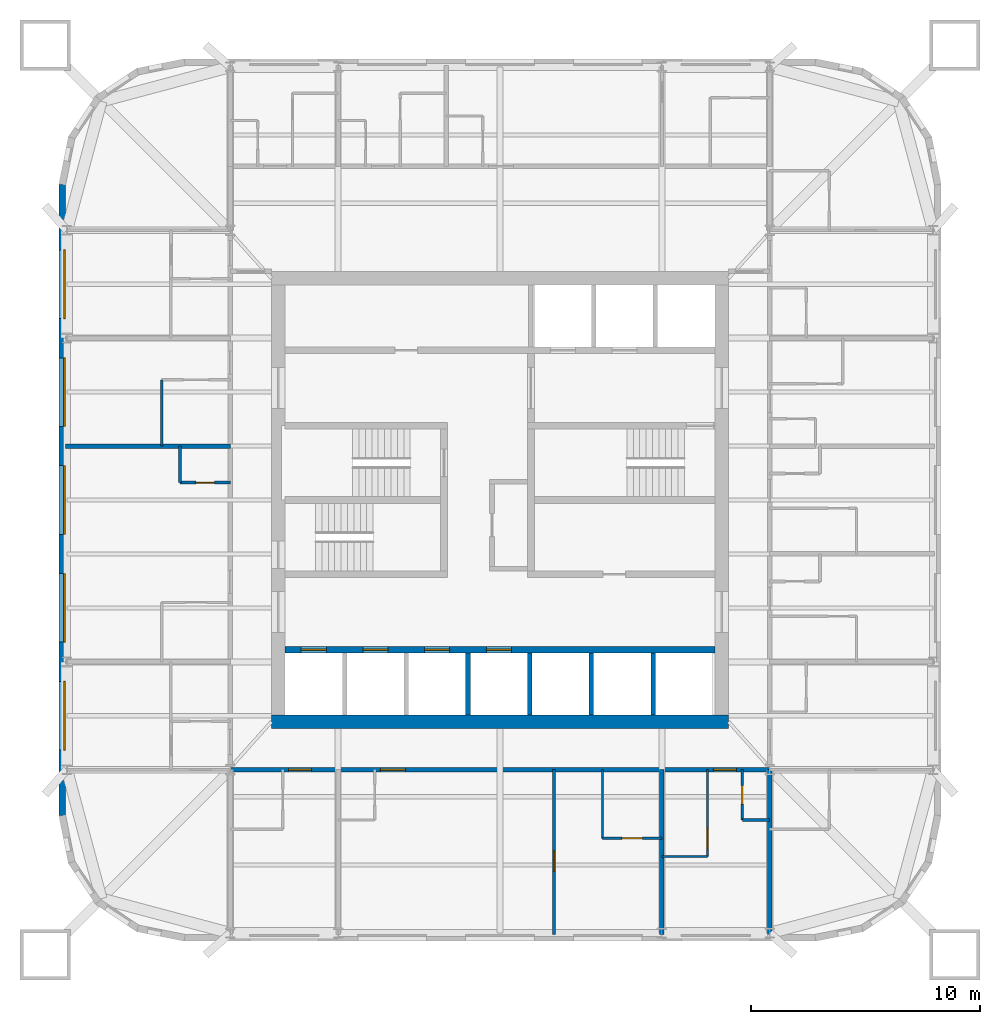
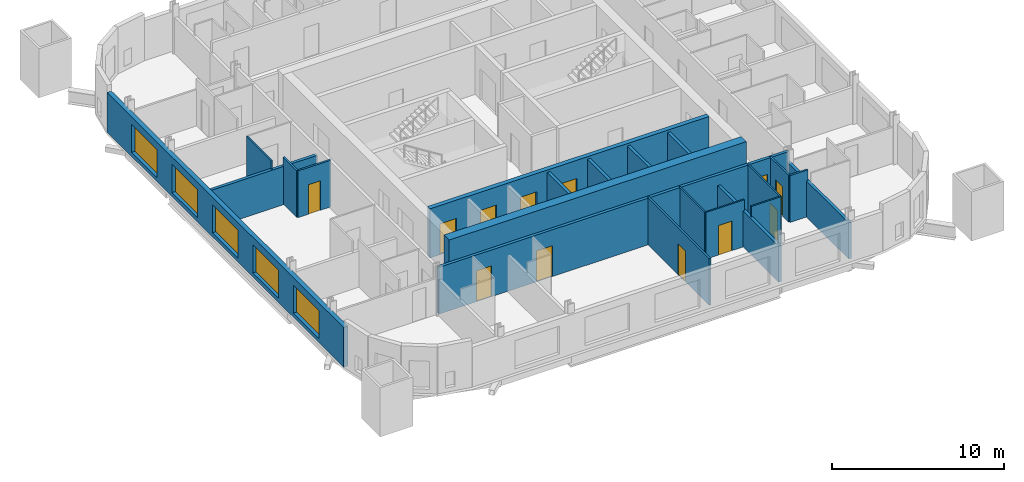
# One storey, part 3 of 9: 21 walls, 12 doors, 5 windows, 17 openings.
"""IFC4 building model written with IfcOpenShell, lengths in metres."""

from ifc_helpers import new_model, si_unit, direction, frame, frame_2d, origin, place, context, subcontext, project, spatial, rectangle, extrude, material, layer, layer_set, type_object, element, fill, save


model = new_model("IFC4")

# Units and contexts
model_context = context("Model", 3, precision=1e-05, world=origin(), true_north=direction((0.0, 1.0)))
body_context = subcontext(model_context, "Body", "Model", "MODEL_VIEW")
ifc_project = project(units=[si_unit("LENGTHUNIT", "METRE"), si_unit("AREAUNIT", "SQUARE_METRE"), si_unit("VOLUMEUNIT", "CUBIC_METRE"), si_unit("PLANEANGLEUNIT", "RADIAN"), si_unit("MASSUNIT", "GRAM", prefix="KILO")], contexts=[model_context])

# Site, building, storey
site_placement = place(None, origin())
site = spatial("IfcSite", under=ifc_project, at=site_placement, CompositionType="ELEMENT")
building_placement = place(site_placement, origin())
building = spatial("IfcBuilding", under=site, at=building_placement, Name="Turquesa Mirador Hotel Tower", CompositionType="ELEMENT")
storey_placement = place(building_placement, frame((0.0, 0.0, 210.800048828125)))
storey = spatial("IfcBuildingStorey", under=building, at=storey_placement, Name="L57", CompositionType="ELEMENT", Elevation=210.800048828125)

# Wall, opening, door
ifc_material_1 = material(Name="Gypsum board on steel studs", Category="steel")
ifc_layer_1 = layer(ifc_material_1, 0.10009765625)
ifc_layer_set_1 = layer_set([ifc_layer_1], Name="BATHROOM WALL 100")
wall_type_1 = type_object("IfcWallType", Name="BATHROOM WALL 100", PredefinedType="PARTITIONING", material=ifc_layer_set_1)
wall_1_placement = place(storey_placement, frame((59.47998046875, 30.199951171875, 0.0), z_axis=(0.0, 0.0, 1.0), x_axis=(1.0, 0.0, 0.0)))
wall_1 = element("IfcWall", 1, at=wall_1_placement, inside=storey, type_object=wall_type_1, Name="Partition L57 010", PredefinedType="PARTITIONING", context=body_context, shape_type="SweptSolid", body=[
    extrude(rectangle(XDim=2.60009765625, YDim=0.10009765625, at=frame_2d((1.300048828125, 0.0))), origin(), (0.0, 0.0, 1.0), 3.329833984375),
])
opening_1_placement = place(wall_1_placement, frame((0.85009765625, 0.0, 0.0)))
opening_1 = element("IfcOpeningElement", 2, at=opening_1_placement, cuts=wall_1, Name="Opening D02", PredefinedType="OPENING", context=body_context, shape_type="SweptSolid", body=[
    extrude(rectangle(XDim=0.89990234375, YDim=2.10009765625, at=frame_2d((0.449951171875, 1.050048828125))), frame((0.0, 0.06005859375, 0.0), z_axis=(0.0, -1.0, 0.0), x_axis=(1.0, 0.0, 0.0)), (0.0, 0.0, 1.0), 0.1201171875),
])
ifc_material_2 = material(Name="Timber veneered door", Category="wood")
door_type_1 = type_object("IfcDoorType", Name="DOOR 900X2100 EN-SUITE", OperationType="SINGLE_SWING_RIGHT", PredefinedType="DOOR", material=ifc_material_2)
door_1_placement = place(opening_1_placement, origin())
door_1 = element("IfcDoor", 3, at=door_1_placement, inside=storey, type_object=door_type_1, Name="Door 5705B", OperationType="SINGLE_SWING_RIGHT", OverallHeight=2.10009765625, OverallWidth=0.89990234375, PredefinedType="DOOR", context=body_context, shape_type="SweptSolid", body=[
    extrude(rectangle(XDim=0.89990234375, YDim=2.10009765625, at=frame_2d((0.449951171875, 1.050048828125))), frame((0.0, 0.02490234375, 0.0), z_axis=(0.0, -1.0, 0.0), x_axis=(1.0, 0.0, 0.0)), (0.0, 0.0, 1.0), 0.050048828125),
])
fill(opening_1, door_1)

# Walls
wall_2_placement = place(storey_placement, frame((62.080078125, 29.39990234375, 0.0), z_axis=(0.0, 0.0, 1.0), x_axis=(1.0, 0.0, 0.0)))
element("IfcWall", 4, at=wall_2_placement, inside=storey, type_object=wall_type_1, Name="Partition L57 011", PredefinedType="PARTITIONING", context=body_context, shape_type="SweptSolid", body=[
    extrude(rectangle(XDim=2.0, YDim=0.10009765625, at=frame_2d((1.0, 0.0))), origin(), (0.0, 0.0, 1.0), 3.329833984375),
])
wall_3_placement = place(storey_placement, frame((40.199951171875, 47.360107421875, 0.0), z_axis=(0.0, 0.0, 1.0), x_axis=(0.0, 1.0, 0.0)))
element("IfcWall", 5, at=wall_3_placement, inside=storey, type_object=wall_type_1, Name="Partition L57 056", PredefinedType="PARTITIONING", context=body_context, shape_type="SweptSolid", body=[
    extrude(rectangle(XDim=2.89990234375, YDim=0.10009765625, at=frame_2d((1.449951171875, 0.0))), origin(), (0.0, 0.0, 1.0), 3.329833984375),
])
wall_4_placement = place(storey_placement, frame((59.47998046875, 30.199951171875, 0.0), z_axis=(0.0, 0.0, 1.0), x_axis=(0.0, 1.0, 0.0)))
element("IfcWall", 6, at=wall_4_placement, inside=storey, type_object=wall_type_1, Name="Partition L57 080", PredefinedType="PARTITIONING", context=body_context, shape_type="SweptSolid", body=[
    extrude(rectangle(XDim=3.0, YDim=0.10009765625, at=frame_2d((1.5, 0.0))), origin(), (0.0, 0.0, 1.0), 3.329833984375),
])

# Wall, opening, door
wall_5_placement = place(storey_placement, frame((64.080078125, 29.39990234375, 0.0), z_axis=(0.0, 0.0, 1.0), x_axis=(0.0, 1.0, 0.0)))
wall_5 = element("IfcWall", 7, at=wall_5_placement, inside=storey, type_object=wall_type_1, Name="Partition L57 083", PredefinedType="PARTITIONING", context=body_context, shape_type="SweptSolid", body=[
    extrude(rectangle(XDim=3.800048828125, YDim=0.10009765625, at=frame_2d((1.89990234375, 0.0))), origin(), (0.0, 0.0, 1.0), 3.329833984375),
])
opening_2_placement = place(wall_5_placement, frame((0.35009765625, 0.0, 0.0)))
opening_2 = element("IfcOpeningElement", 8, at=opening_2_placement, cuts=wall_5, Name="Opening D02", PredefinedType="OPENING", context=body_context, shape_type="SweptSolid", body=[
    extrude(rectangle(XDim=0.89990234375, YDim=2.10009765625, at=frame_2d((0.449951171875, 1.050048828125))), frame((0.0, 0.06005859375, 0.0), z_axis=(0.0, -1.0, 0.0), x_axis=(1.0, 0.0, 0.0)), (0.0, 0.0, 1.0), 0.1201171875),
])
door_2_placement = place(opening_2_placement, origin())
door_2 = element("IfcDoor", 9, at=door_2_placement, inside=storey, type_object=door_type_1, Name="Door 5706B", OperationType="SINGLE_SWING_RIGHT", OverallHeight=2.10009765625, OverallWidth=0.89990234375, PredefinedType="DOOR", context=body_context, shape_type="SweptSolid", body=[
    extrude(rectangle(XDim=0.89990234375, YDim=2.10009765625, at=frame_2d((0.449951171875, 1.050048828125))), frame((0.0, 0.02490234375, 0.0), z_axis=(0.0, -1.0, 0.0), x_axis=(1.0, 0.0, 0.0)), (0.0, 0.0, 1.0), 0.050048828125),
])
fill(opening_2, door_2)

# Wall, openings, doors
ifc_material_3 = material(Name="Concrete C50/60", Category="concrete")
ifc_layer_2 = layer(ifc_material_3, 0.300048828125)
ifc_layer_set_2 = layer_set([ifc_layer_2], Name="CORE INNER WALL 300")
wall_type_2 = type_object("IfcWallType", Name="CORE INNER WALL 300", PredefinedType="SHEAR", material=ifc_layer_set_2)
wall_6_placement = place(storey_placement, frame((45.60009765625, 38.449951171875, 0.0), z_axis=(0.0, 0.0, 1.0), x_axis=(1.0, 0.0, 0.0)))
wall_6 = element("IfcWall", 10, at=wall_6_placement, inside=storey, type_object=wall_type_2, Name="Core wall SL", PredefinedType="SHEAR", context=body_context, shape_type="SweptSolid", body=[
    extrude(rectangle(XDim=18.7998046875, YDim=0.300048828125, at=frame_2d((9.39990234375, 0.0))), origin(), (0.0, 0.0, 1.0), 3.5),
])
opening_3_placement = place(wall_6_placement, frame((0.699951171875, 0.0, 0.0)))
opening_3 = element("IfcOpeningElement", 11, at=opening_3_placement, cuts=wall_6, Name="Opening LD", PredefinedType="OPENING", context=body_context, shape_type="SweptSolid", body=[
    extrude(rectangle(XDim=1.10009765625, YDim=2.199951171875, at=frame_2d((0.550048828125, 1.10009765625))), frame((0.0, 0.159912109375, 0.0), z_axis=(0.0, -1.0, 0.0), x_axis=(1.0, 0.0, 0.0)), (0.0, 0.0, 1.0), 0.320068359375),
])
opening_4_placement = place(wall_6_placement, frame((3.39990234375, 0.0, 0.0)))
opening_4 = element("IfcOpeningElement", 12, at=opening_4_placement, cuts=wall_6, Name="Opening LD", PredefinedType="OPENING", context=body_context, shape_type="SweptSolid", body=[
    extrude(rectangle(XDim=1.10009765625, YDim=2.199951171875, at=frame_2d((0.550048828125, 1.10009765625))), frame((0.0, 0.159912109375, 0.0), z_axis=(0.0, -1.0, 0.0), x_axis=(1.0, 0.0, 0.0)), (0.0, 0.0, 1.0), 0.320068359375),
])
opening_5_placement = place(wall_6_placement, frame((6.10009765625, 0.0, 0.0)))
opening_5 = element("IfcOpeningElement", 13, at=opening_5_placement, cuts=wall_6, Name="Opening LD", PredefinedType="OPENING", context=body_context, shape_type="SweptSolid", body=[
    extrude(rectangle(XDim=1.10009765625, YDim=2.199951171875, at=frame_2d((0.550048828125, 1.10009765625))), frame((0.0, 0.159912109375, 0.0), z_axis=(0.0, -1.0, 0.0), x_axis=(1.0, 0.0, 0.0)), (0.0, 0.0, 1.0), 0.320068359375),
])
opening_6_placement = place(wall_6_placement, frame((8.800048828125, 0.0, 0.0)))
opening_6 = element("IfcOpeningElement", 14, at=opening_6_placement, cuts=wall_6, Name="Opening LD", PredefinedType="OPENING", context=body_context, shape_type="SweptSolid", body=[
    extrude(rectangle(XDim=1.10009765625, YDim=2.199951171875, at=frame_2d((0.550048828125, 1.10009765625))), frame((0.0, 0.159912109375, 0.0), z_axis=(0.0, -1.0, 0.0), x_axis=(1.0, 0.0, 0.0)), (0.0, 0.0, 1.0), 0.320068359375),
])
ifc_material_4 = material(Name="Stainless steel lift landing door", Category="steel")
door_type_2 = type_object("IfcDoorType", Name="LIFT LANDING DOOR 1100X2200", OperationType="SLIDING_TO_LEFT", PredefinedType="DOOR", material=ifc_material_4)
door_3_placement = place(opening_3_placement, origin())
door_3 = element("IfcDoor", 15, at=door_3_placement, inside=storey, type_object=door_type_2, Name="Lift B1 landing door", OperationType="SLIDING_TO_LEFT", OverallHeight=2.199951171875, OverallWidth=1.10009765625, PredefinedType="DOOR", context=body_context, shape_type="SweptSolid", body=[
    extrude(rectangle(XDim=1.10009765625, YDim=2.199951171875, at=frame_2d((0.550048828125, 1.10009765625))), frame((0.0, 0.02490234375, 0.0), z_axis=(0.0, -1.0, 0.0), x_axis=(1.0, 0.0, 0.0)), (0.0, 0.0, 1.0), 0.050048828125),
])
fill(opening_3, door_3)
door_4_placement = place(opening_4_placement, origin())
door_4 = element("IfcDoor", 16, at=door_4_placement, inside=storey, type_object=door_type_2, Name="Lift B2 landing door", OperationType="SLIDING_TO_LEFT", OverallHeight=2.199951171875, OverallWidth=1.10009765625, PredefinedType="DOOR", context=body_context, shape_type="SweptSolid", body=[
    extrude(rectangle(XDim=1.10009765625, YDim=2.199951171875, at=frame_2d((0.550048828125, 1.10009765625))), frame((0.0, 0.02490234375, 0.0), z_axis=(0.0, -1.0, 0.0), x_axis=(1.0, 0.0, 0.0)), (0.0, 0.0, 1.0), 0.050048828125),
])
fill(opening_4, door_4)
door_5_placement = place(opening_5_placement, origin())
door_5 = element("IfcDoor", 17, at=door_5_placement, inside=storey, type_object=door_type_2, Name="Lift B3 landing door", OperationType="SLIDING_TO_LEFT", OverallHeight=2.199951171875, OverallWidth=1.10009765625, PredefinedType="DOOR", context=body_context, shape_type="SweptSolid", body=[
    extrude(rectangle(XDim=1.10009765625, YDim=2.199951171875, at=frame_2d((0.550048828125, 1.10009765625))), frame((0.0, 0.02490234375, 0.0), z_axis=(0.0, -1.0, 0.0), x_axis=(1.0, 0.0, 0.0)), (0.0, 0.0, 1.0), 0.050048828125),
])
fill(opening_5, door_5)
door_6_placement = place(opening_6_placement, origin())
door_6 = element("IfcDoor", 18, at=door_6_placement, inside=storey, type_object=door_type_2, Name="Lift B4 landing door", OperationType="SLIDING_TO_LEFT", OverallHeight=2.199951171875, OverallWidth=1.10009765625, PredefinedType="DOOR", context=body_context, shape_type="SweptSolid", body=[
    extrude(rectangle(XDim=1.10009765625, YDim=2.199951171875, at=frame_2d((0.550048828125, 1.10009765625))), frame((0.0, 0.02490234375, 0.0), z_axis=(0.0, -1.0, 0.0), x_axis=(1.0, 0.0, 0.0)), (0.0, 0.0, 1.0), 0.050048828125),
])
fill(opening_6, door_6)

# Wall
ifc_material_5 = material(Name="Concrete C50/60", Category="concrete")
ifc_layer_3 = layer(ifc_material_5, 0.60009765625)
ifc_layer_set_3 = layer_set([ifc_layer_3], Name="CORE WALL 600")
wall_type_3 = type_object("IfcWallType", Name="CORE WALL 600", PredefinedType="SHEAR", material=ifc_layer_set_3)
wall_7_placement = place(storey_placement, frame((45.0, 35.300048828125, 0.0), z_axis=(0.0, 0.0, 1.0), x_axis=(1.0, 0.0, 0.0)))
element("IfcWall", 19, at=wall_7_placement, inside=storey, type_object=wall_type_3, Name="Core wall S", PredefinedType="SHEAR", context=body_context, shape_type="SweptSolid", body=[
    extrude(rectangle(XDim=20.0, YDim=0.60009765625, at=frame_2d((10.0, 0.0))), origin(), (0.0, 0.0, 1.0), 3.5),
])

# Wall, openings, doors
ifc_material_6 = material(Name="Fire-rated gypsum board on steel studs", Category="steel")
ifc_layer_4 = layer(ifc_material_6, 0.199951171875)
ifc_layer_set_4 = layer_set([ifc_layer_4], Name="CORRIDOR WALL 200")
wall_type_4 = type_object("IfcWallType", Name="CORRIDOR WALL 200", PredefinedType="PARTITIONING", material=ifc_layer_set_4)
wall_8_placement = place(storey_placement, frame((43.199951171875, 33.199951171875, 0.0), z_axis=(0.0, 0.0, 1.0), x_axis=(1.0, 0.0, 0.0)))
wall_8 = element("IfcWall", 20, at=wall_8_placement, inside=storey, type_object=wall_type_4, Name="Partition L57 003", PredefinedType="PARTITIONING", context=body_context, shape_type="SweptSolid", body=[
    extrude(rectangle(XDim=23.60009765625, YDim=0.199951171875, at=frame_2d((11.800048828125, 0.0))), origin(), (0.0, 0.0, 1.0), 3.329833984375),
])
opening_7_placement = place(wall_8_placement, frame((2.550048828125, 0.0, 0.0)))
opening_7 = element("IfcOpeningElement", 21, at=opening_7_placement, cuts=wall_8, Name="Opening D01", PredefinedType="OPENING", context=body_context, shape_type="SweptSolid", body=[
    extrude(rectangle(XDim=1.0, YDim=2.199951171875, at=frame_2d((0.5, 1.10009765625))), frame((0.0, 0.10986328125, 0.0), z_axis=(0.0, -1.0, 0.0), x_axis=(1.0, 0.0, 0.0)), (0.0, 0.0, 1.0), 0.219970703125),
])
opening_8_placement = place(wall_8_placement, frame((6.570068359375, 0.0, 0.0)))
opening_8 = element("IfcOpeningElement", 22, at=opening_8_placement, cuts=wall_8, Name="Opening D15", PredefinedType="OPENING", context=body_context, shape_type="SweptSolid", body=[
    extrude(rectangle(XDim=1.10009765625, YDim=2.199951171875, at=frame_2d((0.550048828125, 1.10009765625))), frame((0.0, 0.10986328125, 0.0), z_axis=(0.0, -1.0, 0.0), x_axis=(1.0, 0.0, 0.0)), (0.0, 0.0, 1.0), 0.219970703125),
])
opening_9_placement = place(wall_8_placement, frame((21.139892578125, 0.0, 0.0)))
opening_9 = element("IfcOpeningElement", 23, at=opening_9_placement, cuts=wall_8, Name="Opening D01", PredefinedType="OPENING", context=body_context, shape_type="SweptSolid", body=[
    extrude(rectangle(XDim=1.0, YDim=2.199951171875, at=frame_2d((0.5, 1.10009765625))), frame((0.0, 0.10986328125, 0.0), z_axis=(0.0, -1.0, 0.0), x_axis=(1.0, 0.0, 0.0)), (0.0, 0.0, 1.0), 0.219970703125),
])
ifc_material_7 = material(Name="Timber veneered fire door", Category="wood")
door_type_3 = type_object("IfcDoorType", Name="DOOR 1000X2200 GUEST ENTRY", OperationType="SINGLE_SWING_LEFT", PredefinedType="DOOR", material=ifc_material_7)
door_7_placement = place(opening_7_placement, origin())
door_7 = element("IfcDoor", 24, at=door_7_placement, inside=storey, type_object=door_type_3, Name="Door 5704", OperationType="SINGLE_SWING_LEFT", OverallHeight=2.199951171875, OverallWidth=1.0, PredefinedType="DOOR", context=body_context, shape_type="SweptSolid", body=[
    extrude(rectangle(XDim=1.0, YDim=2.199951171875, at=frame_2d((0.5, 1.10009765625))), frame((0.0, 0.02490234375, 0.0), z_axis=(0.0, -1.0, 0.0), x_axis=(1.0, 0.0, 0.0)), (0.0, 0.0, 1.0), 0.050048828125),
])
fill(opening_7, door_7)
door_8_placement = place(opening_9_placement, origin())
door_8 = element("IfcDoor", 25, at=door_8_placement, inside=storey, type_object=door_type_3, Name="Door 5706", OperationType="SINGLE_SWING_LEFT", OverallHeight=2.199951171875, OverallWidth=1.0, PredefinedType="DOOR", context=body_context, shape_type="SweptSolid", body=[
    extrude(rectangle(XDim=1.0, YDim=2.199951171875, at=frame_2d((0.5, 1.10009765625))), frame((0.0, 0.02490234375, 0.0), z_axis=(0.0, -1.0, 0.0), x_axis=(1.0, 0.0, 0.0)), (0.0, 0.0, 1.0), 0.050048828125),
])
fill(opening_9, door_8)
ifc_material_8 = material(Name="Timber veneered fire door", Category="wood")
door_type_4 = type_object("IfcDoorType", Name="DOOR 1100X2200 SUITE ENTRY", OperationType="SINGLE_SWING_LEFT", PredefinedType="DOOR", material=ifc_material_8)
door_9_placement = place(opening_8_placement, origin())
door_9 = element("IfcDoor", 26, at=door_9_placement, inside=storey, type_object=door_type_4, Name="Door 5705", OperationType="SINGLE_SWING_LEFT", OverallHeight=2.199951171875, OverallWidth=1.10009765625, PredefinedType="DOOR", context=body_context, shape_type="SweptSolid", body=[
    extrude(rectangle(XDim=1.10009765625, YDim=2.199951171875, at=frame_2d((0.550048828125, 1.10009765625))), frame((0.0, 0.02490234375, 0.0), z_axis=(0.0, -1.0, 0.0), x_axis=(1.0, 0.0, 0.0)), (0.0, 0.0, 1.0), 0.050048828125),
])
fill(opening_8, door_9)

# Wall, openings, windows
ifc_material_9 = material(Name="Limestone cladding on concrete block", Category="masonry")
ifc_layer_5 = layer(ifc_material_9, 0.300048828125)
ifc_layer_set_5 = layer_set([ifc_layer_5], Name="FACADE WALL 300 STONE SCREEN")
wall_type_5 = type_object("IfcWallType", Name="FACADE WALL 300 STONE SCREEN", PredefinedType="SOLIDWALL", material=ifc_layer_set_5)
wall_9_placement = place(storey_placement, frame((35.85009765625, 58.800048828125, 0.0), z_axis=(0.0, 0.0, 1.0), x_axis=(0.0, -1.0, 0.0)))
wall_9 = element("IfcWall", 27, at=wall_9_placement, inside=storey, type_object=wall_type_5, Name="Facade wall L57 14", PredefinedType="SOLIDWALL", context=body_context, shape_type="SweptSolid", body=[
    extrude(rectangle(XDim=27.60009765625, YDim=0.300048828125, at=frame_2d((13.800048828125, 0.0))), origin(), (0.0, 0.0, 1.0), 2.829833984375),
])
opening_10_placement = place(wall_9_placement, frame((2.860107421875, 0.0, 0.300048828125)))
opening_10 = element("IfcOpeningElement", 28, at=opening_10_placement, cuts=wall_9, Name="Opening WN1", PredefinedType="OPENING", context=body_context, shape_type="SweptSolid", body=[
    extrude(rectangle(XDim=3.0, YDim=2.0, at=frame_2d((1.5, 1.0))), frame((0.0, 0.159912109375, 0.0), z_axis=(0.0, -1.0, 0.0), x_axis=(1.0, 0.0, 0.0)), (0.0, 0.0, 1.0), 0.320068359375),
])
opening_11_placement = place(wall_9_placement, frame((7.580078125, 0.0, 0.300048828125)))
opening_11 = element("IfcOpeningElement", 29, at=opening_11_placement, cuts=wall_9, Name="Opening WN1", PredefinedType="OPENING", context=body_context, shape_type="SweptSolid", body=[
    extrude(rectangle(XDim=3.0, YDim=2.0, at=frame_2d((1.5, 1.0))), frame((0.0, 0.159912109375, 0.0), z_axis=(0.0, -1.0, 0.0), x_axis=(1.0, 0.0, 0.0)), (0.0, 0.0, 1.0), 0.320068359375),
])
opening_12_placement = place(wall_9_placement, frame((12.300048828125, 0.0, 0.300048828125)))
opening_12 = element("IfcOpeningElement", 30, at=opening_12_placement, cuts=wall_9, Name="Opening WN1", PredefinedType="OPENING", context=body_context, shape_type="SweptSolid", body=[
    extrude(rectangle(XDim=3.0, YDim=2.0, at=frame_2d((1.5, 1.0))), frame((0.0, 0.159912109375, 0.0), z_axis=(0.0, -1.0, 0.0), x_axis=(1.0, 0.0, 0.0)), (0.0, 0.0, 1.0), 0.320068359375),
])
opening_13_placement = place(wall_9_placement, frame((17.02001953125, 0.0, 0.300048828125)))
opening_13 = element("IfcOpeningElement", 31, at=opening_13_placement, cuts=wall_9, Name="Opening WN1", PredefinedType="OPENING", context=body_context, shape_type="SweptSolid", body=[
    extrude(rectangle(XDim=3.0, YDim=2.0, at=frame_2d((1.5, 1.0))), frame((0.0, 0.159912109375, 0.0), z_axis=(0.0, -1.0, 0.0), x_axis=(1.0, 0.0, 0.0)), (0.0, 0.0, 1.0), 0.320068359375),
])
opening_14_placement = place(wall_9_placement, frame((21.739990234375, 0.0, 0.300048828125)))
opening_14 = element("IfcOpeningElement", 32, at=opening_14_placement, cuts=wall_9, Name="Opening WN1", PredefinedType="OPENING", context=body_context, shape_type="SweptSolid", body=[
    extrude(rectangle(XDim=3.0, YDim=2.0, at=frame_2d((1.5, 1.0))), frame((0.0, 0.159912109375, 0.0), z_axis=(0.0, -1.0, 0.0), x_axis=(1.0, 0.0, 0.0)), (0.0, 0.0, 1.0), 0.320068359375),
])
ifc_material_10 = material(Name="Ceramic-fritted laminated glass", Category="glass")
window_type = type_object("IfcWindowType", Name="FRITTED WINDOW 3000X2000", PartitioningType="DOUBLE_PANEL_HORIZONTAL", PredefinedType="WINDOW", material=ifc_material_10)
window_1_placement = place(opening_10_placement, origin())
window_1 = element("IfcWindow", 33, at=window_1_placement, inside=storey, type_object=window_type, Name="Window L57", OverallHeight=2.0, OverallWidth=3.0, PartitioningType="SINGLE_PANEL", PredefinedType="WINDOW", context=body_context, shape_type="SweptSolid", body=[
    extrude(rectangle(XDim=3.0, YDim=2.0, at=frame_2d((1.5, 1.0))), frame((0.0, 0.130126953125, 0.0), z_axis=(0.0, -1.0, 0.0), x_axis=(1.0, 0.0, 0.0)), (0.0, 0.0, 1.0), 0.06005859375),
])
fill(opening_10, window_1)
window_2_placement = place(opening_11_placement, origin())
window_2 = element("IfcWindow", 34, at=window_2_placement, inside=storey, type_object=window_type, Name="Window L57", OverallHeight=2.0, OverallWidth=3.0, PartitioningType="SINGLE_PANEL", PredefinedType="WINDOW", context=body_context, shape_type="SweptSolid", body=[
    extrude(rectangle(XDim=3.0, YDim=2.0, at=frame_2d((1.5, 1.0))), frame((0.0, 0.130126953125, 0.0), z_axis=(0.0, -1.0, 0.0), x_axis=(1.0, 0.0, 0.0)), (0.0, 0.0, 1.0), 0.06005859375),
])
fill(opening_11, window_2)
window_3_placement = place(opening_12_placement, origin())
window_3 = element("IfcWindow", 35, at=window_3_placement, inside=storey, type_object=window_type, Name="Window L57", OverallHeight=2.0, OverallWidth=3.0, PartitioningType="SINGLE_PANEL", PredefinedType="WINDOW", context=body_context, shape_type="SweptSolid", body=[
    extrude(rectangle(XDim=3.0, YDim=2.0, at=frame_2d((1.5, 1.0))), frame((0.0, 0.130126953125, 0.0), z_axis=(0.0, -1.0, 0.0), x_axis=(1.0, 0.0, 0.0)), (0.0, 0.0, 1.0), 0.06005859375),
])
fill(opening_12, window_3)
window_4_placement = place(opening_13_placement, origin())
window_4 = element("IfcWindow", 36, at=window_4_placement, inside=storey, type_object=window_type, Name="Window L57", OverallHeight=2.0, OverallWidth=3.0, PartitioningType="SINGLE_PANEL", PredefinedType="WINDOW", context=body_context, shape_type="SweptSolid", body=[
    extrude(rectangle(XDim=3.0, YDim=2.0, at=frame_2d((1.5, 1.0))), frame((0.0, 0.130126953125, 0.0), z_axis=(0.0, -1.0, 0.0), x_axis=(1.0, 0.0, 0.0)), (0.0, 0.0, 1.0), 0.06005859375),
])
fill(opening_13, window_4)
window_5_placement = place(opening_14_placement, origin())
window_5 = element("IfcWindow", 37, at=window_5_placement, inside=storey, type_object=window_type, Name="Window L57", OverallHeight=2.0, OverallWidth=3.0, PartitioningType="SINGLE_PANEL", PredefinedType="WINDOW", context=body_context, shape_type="SweptSolid", body=[
    extrude(rectangle(XDim=3.0, YDim=2.0, at=frame_2d((1.5, 1.0))), frame((0.0, 0.130126953125, 0.0), z_axis=(0.0, -1.0, 0.0), x_axis=(1.0, 0.0, 0.0)), (0.0, 0.0, 1.0), 0.06005859375),
])
fill(opening_14, window_5)

# Walls
ifc_material_11 = material(Name="Fire-rated gypsum shaft wall on steel studs", Category="steel")
ifc_layer_6 = layer(ifc_material_11, 0.199951171875)
ifc_layer_set_6 = layer_set([ifc_layer_6], Name="LIFT SHAFT DIVIDER 200")
wall_type_6 = type_object("IfcWallType", Name="LIFT SHAFT DIVIDER 200", PredefinedType="PARTITIONING", material=ifc_layer_set_6)
for number, where, z_axis, x_axis, name in (
    (38, (53.60009765625, 35.60009765625, 0.0), (0.0, 0.0, 1.0), (0.0, 1.0, 0.0), "Lift shaft divider"),
    (39, (56.300048828125, 35.60009765625, 0.0), (0.0, 0.0, 1.0), (0.0, 1.0, 0.0), "Lift shaft divider"),
    (40, (59.0, 35.60009765625, 0.0), (0.0, 0.0, 1.0), (0.0, 1.0, 0.0), "Lift shaft divider"),
    (41, (61.699951171875, 35.60009765625, 0.0), (0.0, 0.0, 1.0), (0.0, 1.0, 0.0), "Lift shaft divider"),
):
    element("IfcWall", number, at=place(storey_placement, frame(where, z_axis=z_axis, x_axis=x_axis)), inside=storey, type_object=wall_type_6, Name=name, PredefinedType="PARTITIONING", context=body_context, shape_type="SweptSolid", body=[
        extrude(rectangle(XDim=2.699951171875, YDim=0.199951171875, at=frame_2d((1.35009765625, 0.0))), origin(), (0.0, 0.0, 1.0), 3.329833984375),
    ])
ifc_material_12 = material(Name="Fire-rated gypsum board on steel studs", Category="steel")
ifc_layer_7 = layer(ifc_material_12, 0.199951171875)
ifc_layer_set_7 = layer_set([ifc_layer_7], Name="PARTY WALL 200")
wall_type_7 = type_object("IfcWallType", Name="PARTY WALL 200", PredefinedType="PARTITIONING", material=ifc_layer_set_7)
wall_10_placement = place(storey_placement, frame((36.0, 47.360107421875, 0.0), z_axis=(0.0, 0.0, 1.0), x_axis=(1.0, 0.0, 0.0)))
element("IfcWall", 42, at=wall_10_placement, inside=storey, type_object=wall_type_7, Name="Partition L57 035", PredefinedType="PARTITIONING", context=body_context, shape_type="SweptSolid", body=[
    extrude(rectangle(XDim=7.199951171875, YDim=0.199951171875, at=frame_2d((3.60009765625, 0.0))), origin(), (0.0, 0.0, 1.0), 2.73046875),
])
for number, where, z_axis, x_axis, name in (
    (43, (66.800048828125, 26.0, 0.0), (0.0, 0.0, 1.0), (0.0, 1.0, 0.0), "Partition L57 067"),
    (44, (62.080078125, 26.0, 0.0), (0.0, 0.0, 1.0), (0.0, 1.0, 0.0), "Partition L57 081"),
):
    element("IfcWall", number, at=place(storey_placement, frame(where, z_axis=z_axis, x_axis=x_axis)), inside=storey, type_object=wall_type_7, Name=name, PredefinedType="PARTITIONING", context=body_context, shape_type="SweptSolid", body=[
        extrude(rectangle(XDim=7.199951171875, YDim=0.199951171875, at=frame_2d((3.60009765625, 0.0))), origin(), (0.0, 0.0, 1.0), 2.572998046875),
    ])
ifc_material_13 = material(Name="Acoustic gypsum board on steel studs", Category="steel")
ifc_layer_8 = layer(ifc_material_13, 0.125)
ifc_layer_set_8 = layer_set([ifc_layer_8], Name="SUITE PARTITION 125")
wall_type_8 = type_object("IfcWallType", Name="SUITE PARTITION 125", PredefinedType="PARTITIONING", material=ifc_layer_set_8)
wall_11_placement = place(storey_placement, frame((65.60009765625, 31.0, 0.0), z_axis=(0.0, 0.0, 1.0), x_axis=(1.0, 0.0, 0.0)))
element("IfcWall", 45, at=wall_11_placement, inside=storey, type_object=wall_type_8, Name="Partition L57 007", PredefinedType="PARTITIONING", context=body_context, shape_type="SweptSolid", body=[
    extrude(rectangle(XDim=1.199951171875, YDim=0.125, at=frame_2d((0.60009765625, 0.0))), origin(), (0.0, 0.0, 1.0), 3.329833984375),
])

# Wall, opening, door
wall_12_placement = place(storey_placement, frame((41.0, 45.760009765625, 0.0), z_axis=(0.0, 0.0, 1.0), x_axis=(1.0, 0.0, 0.0)))
wall_12 = element("IfcWall", 46, at=wall_12_placement, inside=storey, type_object=wall_type_8, Name="Partition L57 020", PredefinedType="PARTITIONING", context=body_context, shape_type="SweptSolid", body=[
    extrude(rectangle(XDim=2.199951171875, YDim=0.125, at=frame_2d((1.10009765625, 0.0))), origin(), (0.0, 0.0, 1.0), 3.329833984375),
])
opening_15_placement = place(wall_12_placement, frame((0.699951171875, 0.0, 0.0)))
opening_15 = element("IfcOpeningElement", 47, at=opening_15_placement, cuts=wall_12, Name="Opening D20", PredefinedType="OPENING", context=body_context, shape_type="SweptSolid", body=[
    extrude(rectangle(XDim=0.800048828125, YDim=2.10009765625, at=frame_2d((0.39990234375, 1.050048828125))), frame((0.0, 0.072509765625, 0.0), z_axis=(0.0, -1.0, 0.0), x_axis=(1.0, 0.0, 0.0)), (0.0, 0.0, 1.0), 0.14501953125),
])
ifc_material_14 = material(Name="Timber veneered sliding door", Category="wood")
door_type_5 = type_object("IfcDoorType", Name="DOOR 800X2100 WARDROBE", OperationType="SLIDING_TO_LEFT", PredefinedType="DOOR", material=ifc_material_14)
door_10_placement = place(opening_15_placement, origin())
door_10 = element("IfcDoor", 48, at=door_10_placement, inside=storey, type_object=door_type_5, Name="Door 5710W", OperationType="SLIDING_TO_LEFT", OverallHeight=2.10009765625, OverallWidth=0.800048828125, PredefinedType="DOOR", context=body_context, shape_type="SweptSolid", body=[
    extrude(rectangle(XDim=0.800048828125, YDim=2.10009765625, at=frame_2d((0.39990234375, 1.050048828125))), frame((0.0, 0.02490234375, 0.0), z_axis=(0.0, -1.0, 0.0), x_axis=(1.0, 0.0, 0.0)), (0.0, 0.0, 1.0), 0.050048828125),
])
fill(opening_15, door_10)

# Wall
wall_13_placement = place(storey_placement, frame((41.0, 45.760009765625, 0.0), z_axis=(0.0, 0.0, 1.0), x_axis=(0.0, 1.0, 0.0)))
element("IfcWall", 49, at=wall_13_placement, inside=storey, type_object=wall_type_8, Name="Partition L57 050", PredefinedType="PARTITIONING", context=body_context, shape_type="SweptSolid", body=[
    extrude(rectangle(XDim=1.60009765625, YDim=0.125, at=frame_2d((0.800048828125, 0.0))), origin(), (0.0, 0.0, 1.0), 3.329833984375),
])

# Wall, opening, door
wall_14_placement = place(storey_placement, frame((65.60009765625, 31.0, 0.0), z_axis=(0.0, 0.0, 1.0), x_axis=(0.0, 1.0, 0.0)))
wall_14 = element("IfcWall", 50, at=wall_14_placement, inside=storey, type_object=wall_type_8, Name="Partition L57 065", PredefinedType="PARTITIONING", context=body_context, shape_type="SweptSolid", body=[
    extrude(rectangle(XDim=2.199951171875, YDim=0.125, at=frame_2d((1.10009765625, 0.0))), origin(), (0.0, 0.0, 1.0), 3.329833984375),
])
opening_16_placement = place(wall_14_placement, frame((0.699951171875, 0.0, 0.0)))
opening_16 = element("IfcOpeningElement", 51, at=opening_16_placement, cuts=wall_14, Name="Opening D20", PredefinedType="OPENING", context=body_context, shape_type="SweptSolid", body=[
    extrude(rectangle(XDim=0.800048828125, YDim=2.10009765625, at=frame_2d((0.39990234375, 1.050048828125))), frame((0.0, 0.072509765625, 0.0), z_axis=(0.0, -1.0, 0.0), x_axis=(1.0, 0.0, 0.0)), (0.0, 0.0, 1.0), 0.14501953125),
])
door_11_placement = place(opening_16_placement, origin())
door_11 = element("IfcDoor", 52, at=door_11_placement, inside=storey, type_object=door_type_5, Name="Door 5706W", OperationType="SLIDING_TO_LEFT", OverallHeight=2.10009765625, OverallWidth=0.800048828125, PredefinedType="DOOR", context=body_context, shape_type="SweptSolid", body=[
    extrude(rectangle(XDim=0.800048828125, YDim=2.10009765625, at=frame_2d((0.39990234375, 1.050048828125))), frame((0.0, 0.02490234375, 0.0), z_axis=(0.0, -1.0, 0.0), x_axis=(1.0, 0.0, 0.0)), (0.0, 0.0, 1.0), 0.050048828125),
])
fill(opening_16, door_11)

wall_15_placement = place(storey_placement, frame((57.360107421875, 26.0, 0.0), z_axis=(0.0, 0.0, 1.0), x_axis=(0.0, 1.0, 0.0)))
wall_15 = element("IfcWall", 53, at=wall_15_placement, inside=storey, type_object=wall_type_8, Name="Partition L57 079", PredefinedType="PARTITIONING", context=body_context, shape_type="SweptSolid", body=[
    extrude(rectangle(XDim=7.199951171875, YDim=0.125, at=frame_2d((3.60009765625, 0.0))), origin(), (0.0, 0.0, 1.0), 3.329833984375),
])
opening_17_placement = place(wall_15_placement, frame((2.75, 0.0, 0.0)))
opening_17 = element("IfcOpeningElement", 54, at=opening_17_placement, cuts=wall_15, Name="Opening D17", PredefinedType="OPENING", context=body_context, shape_type="SweptSolid", body=[
    extrude(rectangle(XDim=0.89990234375, YDim=2.199951171875, at=frame_2d((0.449951171875, 1.10009765625))), frame((0.0, 0.072509765625, 0.0), z_axis=(0.0, -1.0, 0.0), x_axis=(1.0, 0.0, 0.0)), (0.0, 0.0, 1.0), 0.14501953125),
])
ifc_material_15 = material(Name="Timber veneered door", Category="wood")
door_type_6 = type_object("IfcDoorType", Name="DOOR 900X2200 SUITE INTERNAL", OperationType="SINGLE_SWING_LEFT", PredefinedType="DOOR", material=ifc_material_15)
door_12_placement = place(opening_17_placement, origin())
door_12 = element("IfcDoor", 55, at=door_12_placement, inside=storey, type_object=door_type_6, Name="Door 5705R", OperationType="SINGLE_SWING_LEFT", OverallHeight=2.199951171875, OverallWidth=0.89990234375, PredefinedType="DOOR", context=body_context, shape_type="SweptSolid", body=[
    extrude(rectangle(XDim=0.89990234375, YDim=2.199951171875, at=frame_2d((0.449951171875, 1.10009765625))), frame((0.0, 0.02490234375, 0.0), z_axis=(0.0, -1.0, 0.0), x_axis=(1.0, 0.0, 0.0)), (0.0, 0.0, 1.0), 0.050048828125),
])
fill(opening_17, door_12)

save(model, "model.ifc")
